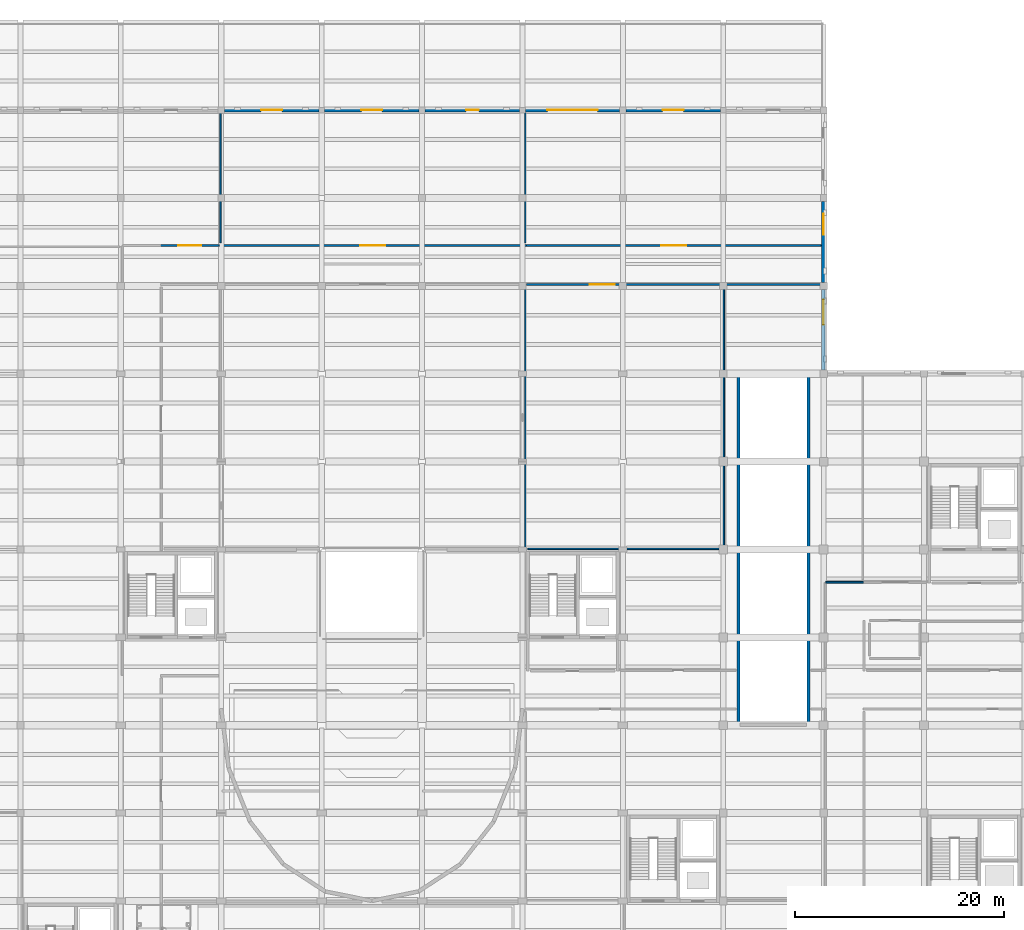
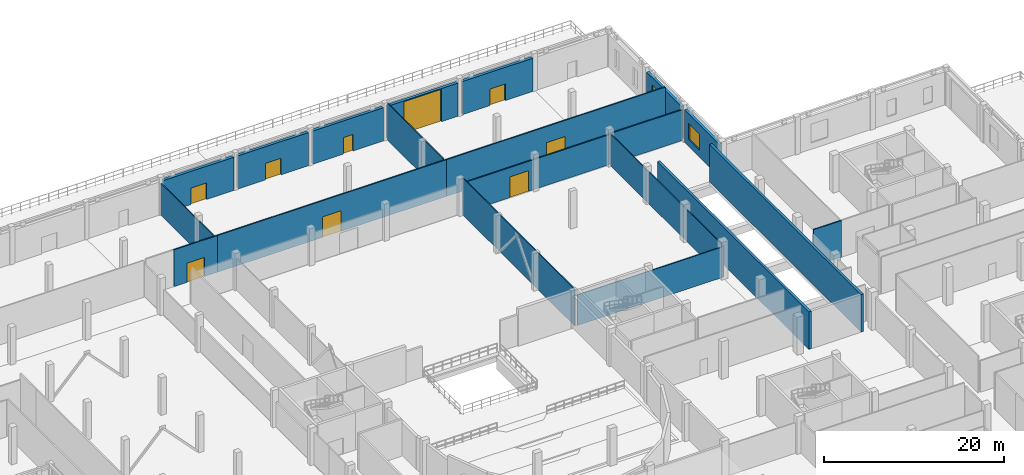
# One storey, part 56 of 71: 20 walls, 9 doors, 2 windows, 11 openings.
"""IFC4 building model written with IfcOpenShell, lengths in metres."""

from ifc_helpers import new_model, si_unit, direction, frame, frame_2d, origin, place, context, subcontext, project, spatial, rectangle, extrude, material, layer, layer_set, type_object, element, fill, save


model = new_model("IFC4")

# Units and contexts
model_context = context("Model", 3, precision=1e-05, world=origin(), true_north=direction((0.0, 1.0)))
body_context = subcontext(model_context, "Body", "Model", "MODEL_VIEW")
ifc_project = project(units=[si_unit("LENGTHUNIT", "METRE"), si_unit("AREAUNIT", "SQUARE_METRE"), si_unit("VOLUMEUNIT", "CUBIC_METRE"), si_unit("PLANEANGLEUNIT", "RADIAN"), si_unit("MASSUNIT", "GRAM", prefix="KILO")], contexts=[model_context])

# Site, building, storey
site_placement = place(None, origin())
site = spatial("IfcSite", under=ifc_project, at=site_placement, CompositionType="ELEMENT")
building_placement = place(site_placement, origin())
building = spatial("IfcBuilding", under=site, at=building_placement, Name="Lornevale Opera House", CompositionType="ELEMENT")
storey_placement = place(building_placement, origin())
storey = spatial("IfcBuildingStorey", under=building, at=storey_placement, Name="L01", CompositionType="ELEMENT", Elevation=0.0)

# Walls
ifc_material_1 = material(Name="Concrete 40 MPa (CSA A23.1 C-1)", Category="concrete")
ifc_layer_1 = layer(ifc_material_1, 0.320068359375)
ifc_layer_set_1 = layer_set([ifc_layer_1], Name="Concrete 40 MPa (CSA A23.1 C-1)")
wall_type_1 = type_object("IfcWallType", Name="Core Shear Wall 320", PredefinedType="SHEAR", material=ifc_layer_set_1)
for number, where, z_axis, x_axis, name in (
    (1, (116.64990234375, 50.300048828125, 0.0), (0.0, 0.0, 1.0), (0.0, 1.0, 0.0), "Vehicle Ramp Shaft Wall L01 0363"),
    (2, (123.35009765625, 50.300048828125, 0.0), (0.0, 0.0, 1.0), (0.0, 1.0, 0.0), "Vehicle Ramp Shaft Wall L01 0364"),
):
    element("IfcWall", number, at=place(storey_placement, frame(where, z_axis=z_axis, x_axis=x_axis)), inside=storey, type_object=wall_type_1, Name=name, PredefinedType="SHEAR", context=body_context, shape_type="SweptSolid", body=[
        extrude(rectangle(XDim=33.699951171875, YDim=0.320068359375, at=frame_2d((16.85009765625, 0.0))), origin(), (0.0, 0.0, 1.0), 5.10009765625),
    ])

# Wall, opening, door
ifc_material_2 = material(Name="Acoustic Mineral-Core Gypsum Partition", Category="gypsum")
ifc_layer_2 = layer(ifc_material_2, 0.1650390625)
ifc_layer_set_2 = layer_set([ifc_layer_2], Name="Acoustic Mineral-Core Gypsum Partition")
wall_type_2 = type_object("IfcWallType", Name="Corridor Rated Partition 165", PredefinedType="PARTITIONING", material=ifc_layer_set_2)
wall_1_placement = place(storey_placement, frame((96.39990234375, 92.5400390625, 0.0), z_axis=(0.0, 0.0, 1.0), x_axis=(1.0, 0.0, 0.0)))
wall_1 = element("IfcWall", 3, at=wall_1_placement, inside=storey, type_object=wall_type_2, Name="L01 Partition WL-INT-0669", PredefinedType="PARTITIONING", context=body_context, shape_type="SweptSolid", body=[
    extrude(rectangle(XDim=19.0, YDim=0.1650390625, at=frame_2d((9.5, 0.0))), origin(), (0.0, 0.0, 1.0), 4.070068359375),
])
opening_1_placement = place(wall_1_placement, frame((6.02001953125, 0.0, 0.0)))
opening_1 = element("IfcOpeningElement", 4, at=opening_1_placement, cuts=wall_1, Name="Opening DR-T16", PredefinedType="OPENING", context=body_context, shape_type="SweptSolid", body=[
    extrude(rectangle(XDim=2.39990234375, YDim=2.800048828125, at=frame_2d((1.199951171875, 1.39990234375))), frame((0.0, 0.092529296875, 0.0), z_axis=(0.0, -1.0, 0.0), x_axis=(1.0, 0.0, 0.0)), (0.0, 0.0, 1.0), 0.18505859375),
])
ifc_material_3 = material(Name="Painted Hollow Metal Door Steel", Category="steel")
ifc_layer_3 = layer(ifc_material_3, 2.800048828125)
ifc_layer_set_3 = layer_set([ifc_layer_3], Name="Painted Hollow Metal Door Steel")
door_type_1 = type_object("IfcDoorType", Name="Stage Scenery Double Door 2400x2800", OperationType="NOTDEFINED", PredefinedType="DOOR", material=ifc_layer_set_3)
door_1_placement = place(opening_1_placement, origin())
door_1 = element("IfcDoor", 5, at=door_1_placement, inside=storey, type_object=door_type_1, Name="Right Side Stage Door", OperationType="DOUBLE_SWING_LEFT", OverallHeight=2.800048828125, OverallWidth=2.39990234375, PredefinedType="DOOR", context=body_context, shape_type="SweptSolid", body=[
    extrude(rectangle(XDim=2.39990234375, YDim=2.800048828125, at=frame_2d((1.199951171875, 1.39990234375))), frame((0.0, 0.02490234375, 0.0), z_axis=(0.0, -1.0, 0.0), x_axis=(1.0, 0.0, 0.0)), (0.0, 0.0, 1.0), 0.050048828125),
])
fill(opening_1, door_1)

wall_2_placement = place(storey_placement, frame((67.0, 96.260009765625, 0.0), z_axis=(0.0, 0.0, 1.0), x_axis=(1.0, 0.0, 0.0)))
wall_2 = element("IfcWall", 6, at=wall_2_placement, inside=storey, type_object=wall_type_2, Name="L01 Partition WL-INT-0670", PredefinedType="PARTITIONING", context=body_context, shape_type="SweptSolid", body=[
    extrude(rectangle(XDim=29.39990234375, YDim=0.1650390625, at=frame_2d((14.699951171875, 0.0))), origin(), (0.0, 0.0, 1.0), 4.989990234375),
])
opening_2_placement = place(wall_2_placement, frame((13.5, 0.0, 0.0)))
opening_2 = element("IfcOpeningElement", 7, at=opening_2_placement, cuts=wall_2, Name="Opening DR-T16", PredefinedType="OPENING", context=body_context, shape_type="SweptSolid", body=[
    extrude(rectangle(XDim=2.39990234375, YDim=2.800048828125, at=frame_2d((1.199951171875, 1.39990234375))), frame((0.0, 0.092529296875, 0.0), z_axis=(0.0, -1.0, 0.0), x_axis=(1.0, 0.0, 0.0)), (0.0, 0.0, 1.0), 0.18505859375),
])
door_2_placement = place(opening_2_placement, origin())
door_2 = element("IfcDoor", 8, at=door_2_placement, inside=storey, type_object=door_type_1, Name="Rear Stage Door", OperationType="DOUBLE_SWING_LEFT", OverallHeight=2.800048828125, OverallWidth=2.39990234375, PredefinedType="DOOR", context=body_context, shape_type="SweptSolid", body=[
    extrude(rectangle(XDim=2.39990234375, YDim=2.800048828125, at=frame_2d((1.199951171875, 1.39990234375))), frame((0.0, 0.02490234375, 0.0), z_axis=(0.0, -1.0, 0.0), x_axis=(1.0, 0.0, 0.0)), (0.0, 0.0, 1.0), 0.050048828125),
])
fill(opening_2, door_2)

wall_3_placement = place(storey_placement, frame((61.39990234375, 96.260009765625, 0.0), z_axis=(0.0, 0.0, 1.0), x_axis=(1.0, 0.0, 0.0)))
wall_3 = element("IfcWall", 9, at=wall_3_placement, inside=storey, type_object=wall_type_2, Name="L01 Partition WL-INT-0675", PredefinedType="PARTITIONING", context=body_context, shape_type="SweptSolid", body=[
    extrude(rectangle(XDim=5.60009765625, YDim=0.1650390625, at=frame_2d((2.800048828125, 0.0))), origin(), (0.0, 0.0, 1.0), 4.989990234375),
])
opening_3_placement = place(wall_3_placement, frame((1.699951171875, 0.0, 0.0)))
opening_3 = element("IfcOpeningElement", 10, at=opening_3_placement, cuts=wall_3, Name="Opening DR-T17", PredefinedType="OPENING", context=body_context, shape_type="SweptSolid", body=[
    extrude(rectangle(XDim=2.199951171875, YDim=2.60009765625, at=frame_2d((1.10009765625, 1.300048828125))), frame((0.0, 0.092529296875, 0.0), z_axis=(0.0, -1.0, 0.0), x_axis=(1.0, 0.0, 0.0)), (0.0, 0.0, 1.0), 0.18505859375),
])
ifc_layer_4 = layer(ifc_material_3, 2.60009765625)
ifc_layer_set_4 = layer_set([ifc_layer_4], Name="Painted Hollow Metal Door Steel")
door_type_2 = type_object("IfcDoorType", Name="Workshop Acoustic Pair 2200x2600", OperationType="NOTDEFINED", PredefinedType="DOOR", material=ifc_layer_set_4)
door_3_placement = place(opening_3_placement, origin())
door_3 = element("IfcDoor", 11, at=door_3_placement, inside=storey, type_object=door_type_2, Name="Scenery Carpentry Workshop Door", OperationType="DOUBLE_SWING_LEFT", OverallHeight=2.60009765625, OverallWidth=2.199951171875, PredefinedType="DOOR", context=body_context, shape_type="SweptSolid", body=[
    extrude(rectangle(XDim=2.199951171875, YDim=2.60009765625, at=frame_2d((1.10009765625, 1.300048828125))), frame((0.0, 0.02490234375, 0.0), z_axis=(0.0, -1.0, 0.0), x_axis=(1.0, 0.0, 0.0)), (0.0, 0.0, 1.0), 0.050048828125),
])
fill(opening_3, door_3)

wall_4_placement = place(storey_placement, frame((96.39990234375, 96.260009765625, 0.0), z_axis=(0.0, 0.0, 1.0), x_axis=(1.0, 0.0, 0.0)))
wall_4 = element("IfcWall", 12, at=wall_4_placement, inside=storey, type_object=wall_type_2, Name="L01 Partition WL-INT-0676", PredefinedType="PARTITIONING", context=body_context, shape_type="SweptSolid", body=[
    extrude(rectangle(XDim=28.150146484375, YDim=0.1650390625, at=frame_2d((14.0751953125, 0.0))), origin(), (0.0, 0.0, 1.0), 4.989990234375),
])
opening_4_placement = place(wall_4_placement, frame((12.875, 0.0, 0.0)))
opening_4 = element("IfcOpeningElement", 13, at=opening_4_placement, cuts=wall_4, Name="Opening DR-T16", PredefinedType="OPENING", context=body_context, shape_type="SweptSolid", body=[
    extrude(rectangle(XDim=2.39990234375, YDim=2.800048828125, at=frame_2d((1.199951171875, 1.39990234375))), frame((0.0, 0.092529296875, 0.0), z_axis=(0.0, -1.0, 0.0), x_axis=(1.0, 0.0, 0.0)), (0.0, 0.0, 1.0), 0.18505859375),
])
door_4_placement = place(opening_4_placement, origin())
door_4 = element("IfcDoor", 14, at=door_4_placement, inside=storey, type_object=door_type_1, Name="Enclosed Stage Loading Dock Door", OperationType="DOUBLE_SWING_LEFT", OverallHeight=2.800048828125, OverallWidth=2.39990234375, PredefinedType="DOOR", context=body_context, shape_type="SweptSolid", body=[
    extrude(rectangle(XDim=2.39990234375, YDim=2.800048828125, at=frame_2d((1.199951171875, 1.39990234375))), frame((0.0, 0.02490234375, 0.0), z_axis=(0.0, -1.0, 0.0), x_axis=(1.0, 0.0, 0.0)), (0.0, 0.0, 1.0), 0.050048828125),
])
fill(opening_4, door_4)

# Walls
wall_5_placement = place(storey_placement, frame((115.39990234375, 92.5400390625, 0.0), z_axis=(0.0, 0.0, 1.0), x_axis=(1.0, 0.0, 0.0)))
element("IfcWall", 15, at=wall_5_placement, inside=storey, type_object=wall_type_2, Name="L01 Partition WL-INT-0704", PredefinedType="PARTITIONING", context=body_context, shape_type="SweptSolid", body=[
    extrude(rectangle(XDim=9.18017578125, YDim=0.1650390625, at=frame_2d((4.590087890625, 0.0))), origin(), (0.0, 0.0, 1.0), 4.169921875),
])
wall_6_placement = place(storey_placement, frame((125.0, 64.06005859375, 0.0), z_axis=(0.0, 0.0, 1.0), x_axis=(1.0, 0.0, 0.0)))
element("IfcWall", 16, at=wall_6_placement, inside=storey, type_object=wall_type_2, Name="L01 Partition WL-INT-0707", PredefinedType="PARTITIONING", context=body_context, shape_type="SweptSolid", body=[
    extrude(rectangle(XDim=3.60009765625, YDim=0.1650390625, at=frame_2d((1.800048828125, 0.0))), origin(), (0.0, 0.0, 1.0), 4.989990234375),
])
ifc_layer_5 = layer(ifc_material_2, 0.125)
ifc_layer_set_5 = layer_set([ifc_layer_5], Name="Acoustic Mineral-Core Gypsum Partition")
wall_type_3 = type_object("IfcWallType", Name="Dressing Suite Partition 125", PredefinedType="PARTITIONING", material=ifc_layer_set_5)
wall_7_placement = place(storey_placement, frame((96.260009765625, 67.260009765625, 0.0), z_axis=(0.0, 0.0, 1.0), x_axis=(0.0, 1.0, 0.0)))
element("IfcWall", 17, at=wall_7_placement, inside=storey, type_object=wall_type_3, Name="L01 Partition WL-INT-0731", PredefinedType="PARTITIONING", context=body_context, shape_type="SweptSolid", body=[
    extrude(rectangle(XDim=25.030029296875, YDim=0.125, at=frame_2d((12.51513671875, 0.0))), origin(), (0.0, 0.0, 1.0), 4.989990234375),
])
wall_8_placement = place(storey_placement, frame((96.510009765625, 67.260009765625, 0.0), z_axis=(0.0, 0.0, 1.0), x_axis=(1.0, 0.0, 0.0)))
element("IfcWall", 18, at=wall_8_placement, inside=storey, type_object=wall_type_3, Name="L01 Partition WL-INT-0732", PredefinedType="PARTITIONING", context=body_context, shape_type="SweptSolid", body=[
    extrude(rectangle(XDim=18.68994140625, YDim=0.125, at=frame_2d((9.344970703125, 0.0))), origin(), (0.0, 0.0, 1.0), 4.14990234375),
])
wall_9_placement = place(storey_placement, frame((115.260009765625, 67.199951171875, 0.0), z_axis=(0.0, 0.0, 1.0), x_axis=(0.0, 1.0, 0.0)))
element("IfcWall", 19, at=wall_9_placement, inside=storey, type_object=wall_type_3, Name="L01 Partition WL-INT-0733", PredefinedType="PARTITIONING", context=body_context, shape_type="SweptSolid", body=[
    extrude(rectangle(XDim=25.090087890625, YDim=0.125, at=frame_2d((12.544921875, 0.0))), origin(), (0.0, 0.0, 1.0), 4.320068359375),
])
wall_10_placement = place(storey_placement, frame((67.139892578125, 96.510009765625, 0.0), z_axis=(0.0, 0.0, 1.0), x_axis=(0.0, 1.0, 0.0)))
element("IfcWall", 20, at=wall_10_placement, inside=storey, type_object=wall_type_3, Name="L01 Partition WL-INT-0734", PredefinedType="PARTITIONING", context=body_context, shape_type="SweptSolid", body=[
    extrude(rectangle(XDim=12.469970703125, YDim=0.125, at=frame_2d((6.23486328125, 0.0))), origin(), (0.0, 0.0, 1.0), 4.320068359375),
])
wall_11_placement = place(storey_placement, frame((96.260009765625, 96.510009765625, 0.0), z_axis=(0.0, 0.0, 1.0), x_axis=(0.0, 1.0, 0.0)))
element("IfcWall", 21, at=wall_11_placement, inside=storey, type_object=wall_type_3, Name="L01 Partition WL-INT-0735", PredefinedType="PARTITIONING", context=body_context, shape_type="SweptSolid", body=[
    extrude(rectangle(XDim=12.469970703125, YDim=0.125, at=frame_2d((6.23486328125, 0.0))), origin(), (0.0, 0.0, 1.0), 4.989990234375),
])

# Wall, opening, door
ifc_material_4 = material(Name="Credit Valley Sandstone Ashlar Masonry (25 MPa)", Category="masonry")
ifc_layer_6 = layer(ifc_material_4, 0.3798828125)
ifc_layer_set_6 = layer_set([ifc_layer_6], Name="Credit Valley Sandstone Ashlar Masonry (25 MPa)")
wall_type_4 = type_object("IfcWallType", Name="Sandstone Plinth Bearing Wall 380", PredefinedType="SOLIDWALL", material=ifc_layer_set_6)
wall_12_placement = place(storey_placement, frame((67.5, 109.199951171875, 0.0), z_axis=(0.0, 0.0, 1.0), x_axis=(1.0, 0.0, 0.0)))
wall_12 = element("IfcWall", 22, at=wall_12_placement, inside=storey, type_object=wall_type_4, Name="Sandstone Plinth Bearing Wall 380 WL-EXT-0164", PredefinedType="SOLIDWALL", context=body_context, shape_type="SweptSolid", body=[
    extrude(rectangle(XDim=9.02490234375, YDim=0.3798828125, at=frame_2d((4.512451171875, 0.0))), origin(), (0.0, 0.0, 1.0), 4.510009765625),
])
opening_5_placement = place(wall_12_placement, frame((3.512939453125, 0.0, 0.0)))
opening_5 = element("IfcOpeningElement", 23, at=opening_5_placement, cuts=wall_12, Name="Opening DR-T06", PredefinedType="OPENING", context=body_context, shape_type="SweptSolid", body=[
    extrude(rectangle(XDim=2.0, YDim=2.25, at=frame_2d((1.0, 1.125))), frame((0.0, 0.199951171875, 0.0), z_axis=(0.0, -1.0, 0.0), x_axis=(1.0, 0.0, 0.0)), (0.0, 0.0, 1.0), 0.39990234375),
])
ifc_layer_7 = layer(ifc_material_3, 0.050048828125)
ifc_layer_set_7 = layer_set([ifc_layer_7], Name="Painted Hollow Metal Door Steel")
door_type_3 = type_object("IfcDoorType", Name="Exterior Paired Exit Door 2000x2250", OperationType="NOTDEFINED", PredefinedType="DOOR", material=ifc_layer_set_7)
door_5_placement = place(opening_5_placement, origin())
door_5 = element("IfcDoor", 24, at=door_5_placement, inside=storey, type_object=door_type_3, Name="Exterior Paired Exit Door 2000x2250 DR-EXT-019", OperationType="DOUBLE_DOOR_SINGLE_SWING", OverallHeight=2.25, OverallWidth=2.0, PredefinedType="DOOR", context=body_context, shape_type="SweptSolid", body=[
    extrude(rectangle(XDim=2.0, YDim=2.25, at=frame_2d((1.0, 1.125))), frame((0.0, 0.02490234375, 0.0), z_axis=(0.0, -1.0, 0.0), x_axis=(1.0, 0.0, 0.0)), (0.0, 0.0, 1.0), 0.050048828125),
])
fill(opening_5, door_5)

wall_13_placement = place(storey_placement, frame((77.074951171875, 109.199951171875, 0.0), z_axis=(0.0, 0.0, 1.0), x_axis=(1.0, 0.0, 0.0)))
wall_13 = element("IfcWall", 25, at=wall_13_placement, inside=storey, type_object=wall_type_4, Name="Sandstone Plinth Bearing Wall 380 WL-EXT-0166", PredefinedType="SOLIDWALL", context=body_context, shape_type="SweptSolid", body=[
    extrude(rectangle(XDim=9.025146484375, YDim=0.3798828125, at=frame_2d((4.5126953125, 0.0))), origin(), (0.0, 0.0, 1.0), 4.510009765625),
])
opening_6_placement = place(wall_13_placement, frame((3.512939453125, 0.0, 0.0)))
opening_6 = element("IfcOpeningElement", 26, at=opening_6_placement, cuts=wall_13, Name="Opening DR-T06", PredefinedType="OPENING", context=body_context, shape_type="SweptSolid", body=[
    extrude(rectangle(XDim=2.0, YDim=2.25, at=frame_2d((1.0, 1.125))), frame((0.0, 0.199951171875, 0.0), z_axis=(0.0, -1.0, 0.0), x_axis=(1.0, 0.0, 0.0)), (0.0, 0.0, 1.0), 0.39990234375),
])
door_6_placement = place(opening_6_placement, origin())
door_6 = element("IfcDoor", 27, at=door_6_placement, inside=storey, type_object=door_type_3, Name="Exterior Paired Exit Door 2000x2250 DR-EXT-021", OperationType="DOUBLE_DOOR_SINGLE_SWING", OverallHeight=2.25, OverallWidth=2.0, PredefinedType="DOOR", context=body_context, shape_type="SweptSolid", body=[
    extrude(rectangle(XDim=2.0, YDim=2.25, at=frame_2d((1.0, 1.125))), frame((0.0, 0.02490234375, 0.0), z_axis=(0.0, -1.0, 0.0), x_axis=(1.0, 0.0, 0.0)), (0.0, 0.0, 1.0), 0.050048828125),
])
fill(opening_6, door_6)

wall_14_placement = place(storey_placement, frame((86.699951171875, 109.199951171875, 0.0), z_axis=(0.0, 0.0, 1.0), x_axis=(1.0, 0.0, 0.0)))
wall_14 = element("IfcWall", 28, at=wall_14_placement, inside=storey, type_object=wall_type_4, Name="Sandstone Plinth Bearing Wall 380 WL-EXT-0167", PredefinedType="SOLIDWALL", context=body_context, shape_type="SweptSolid", body=[
    extrude(rectangle(XDim=9.025146484375, YDim=0.3798828125, at=frame_2d((4.5126953125, 0.0))), origin(), (0.0, 0.0, 1.0), 4.510009765625),
])
opening_7_placement = place(wall_14_placement, frame((3.903076171875, 0.0, 0.0)))
opening_7 = element("IfcOpeningElement", 29, at=opening_7_placement, cuts=wall_14, Name="Opening DR-T05", PredefinedType="OPENING", context=body_context, shape_type="SweptSolid", body=[
    extrude(rectangle(XDim=1.219970703125, YDim=2.25, at=frame_2d((0.60986328125, 1.125))), frame((0.0, 0.199951171875, 0.0), z_axis=(0.0, -1.0, 0.0), x_axis=(1.0, 0.0, 0.0)), (0.0, 0.0, 1.0), 0.39990234375),
])
ifc_layer_8 = layer(ifc_material_3, 0.050048828125)
ifc_layer_set_8 = layer_set([ifc_layer_8], Name="Painted Hollow Metal Door Steel")
door_type_4 = type_object("IfcDoorType", Name="Exterior Final Exit Door 1220x2250", OperationType="NOTDEFINED", PredefinedType="DOOR", material=ifc_layer_set_8)
door_7_placement = place(opening_7_placement, origin())
door_7 = element("IfcDoor", 30, at=door_7_placement, inside=storey, type_object=door_type_4, Name="Exterior Final Exit Door 1220x2250 DR-EXT-022", OperationType="SINGLE_SWING_LEFT", OverallHeight=2.25, OverallWidth=1.219970703125, PredefinedType="DOOR", context=body_context, shape_type="SweptSolid", body=[
    extrude(rectangle(XDim=1.219970703125, YDim=2.25, at=frame_2d((0.60986328125, 1.125))), frame((0.0, 0.02490234375, 0.0), z_axis=(0.0, -1.0, 0.0), x_axis=(1.0, 0.0, 0.0)), (0.0, 0.0, 1.0), 0.050048828125),
])
fill(opening_7, door_7)

wall_15_placement = place(storey_placement, frame((96.27490234375, 109.199951171875, 0.0), z_axis=(0.0, 0.0, 1.0), x_axis=(1.0, 0.0, 0.0)))
wall_15 = element("IfcWall", 31, at=wall_15_placement, inside=storey, type_object=wall_type_4, Name="Sandstone Plinth Bearing Wall 380 WL-EXT-0169", PredefinedType="SOLIDWALL", context=body_context, shape_type="SweptSolid", body=[
    extrude(rectangle(XDim=9.025146484375, YDim=0.3798828125, at=frame_2d((4.5126953125, 0.0))), origin(), (0.0, 0.0, 1.0), 4.510009765625),
])
opening_8_placement = place(wall_15_placement, frame((2.113037109375, 0.0, 0.0)))
opening_8 = element("IfcOpeningElement", 32, at=opening_8_placement, cuts=wall_15, Name="Opening DR-T07", PredefinedType="OPENING", context=body_context, shape_type="SweptSolid", body=[
    extrude(rectangle(XDim=4.800048828125, YDim=4.39990234375, at=frame_2d((2.39990234375, 2.199951171875))), frame((0.0, 0.199951171875, 0.0), z_axis=(0.0, -1.0, 0.0), x_axis=(1.0, 0.0, 0.0)), (0.0, 0.0, 1.0), 0.39990234375),
])
ifc_layer_9 = layer(ifc_material_3, 0.050048828125)
ifc_layer_set_9 = layer_set([ifc_layer_9], Name="Painted Hollow Metal Door Steel")
door_type_5 = type_object("IfcDoorType", Name="Loading Dock Scenery Roller Door 4800x4400", OperationType="NOTDEFINED", PredefinedType="GATE", material=ifc_layer_set_9)
door_8_placement = place(opening_8_placement, origin())
door_8 = element("IfcDoor", 33, at=door_8_placement, inside=storey, type_object=door_type_5, Name="Loading Dock Scenery Roller Door VG-02", OperationType="ROLLINGUP", OverallHeight=4.39990234375, OverallWidth=4.800048828125, PredefinedType="GATE", context=body_context, shape_type="SweptSolid", body=[
    extrude(rectangle(XDim=4.800048828125, YDim=4.39990234375, at=frame_2d((2.39990234375, 2.199951171875))), frame((0.0, 0.02490234375, 0.0), z_axis=(0.0, -1.0, 0.0), x_axis=(1.0, 0.0, 0.0)), (0.0, 0.0, 1.0), 0.050048828125),
])
fill(opening_8, door_8)

wall_16_placement = place(storey_placement, frame((105.89990234375, 109.199951171875, 0.0), z_axis=(0.0, 0.0, 1.0), x_axis=(1.0, 0.0, 0.0)))
wall_16 = element("IfcWall", 34, at=wall_16_placement, inside=storey, type_object=wall_type_4, Name="Sandstone Plinth Bearing Wall 380 WL-EXT-0170", PredefinedType="SOLIDWALL", context=body_context, shape_type="SweptSolid", body=[
    extrude(rectangle(XDim=9.025146484375, YDim=0.3798828125, at=frame_2d((4.5126953125, 0.0))), origin(), (0.0, 0.0, 1.0), 4.510009765625),
])
opening_9_placement = place(wall_16_placement, frame((3.512939453125, 0.0, 0.0)))
opening_9 = element("IfcOpeningElement", 35, at=opening_9_placement, cuts=wall_16, Name="Opening DR-T06", PredefinedType="OPENING", context=body_context, shape_type="SweptSolid", body=[
    extrude(rectangle(XDim=2.0, YDim=2.25, at=frame_2d((1.0, 1.125))), frame((0.0, 0.199951171875, 0.0), z_axis=(0.0, -1.0, 0.0), x_axis=(1.0, 0.0, 0.0)), (0.0, 0.0, 1.0), 0.39990234375),
])
door_9_placement = place(opening_9_placement, origin())
door_9 = element("IfcDoor", 36, at=door_9_placement, inside=storey, type_object=door_type_3, Name="Exterior Paired Exit Door 2000x2250 DR-EXT-025", OperationType="DOUBLE_DOOR_SINGLE_SWING", OverallHeight=2.25, OverallWidth=2.0, PredefinedType="DOOR", context=body_context, shape_type="SweptSolid", body=[
    extrude(rectangle(XDim=2.0, YDim=2.25, at=frame_2d((1.0, 1.125))), frame((0.0, 0.02490234375, 0.0), z_axis=(0.0, -1.0, 0.0), x_axis=(1.0, 0.0, 0.0)), (0.0, 0.0, 1.0), 0.050048828125),
])
fill(opening_9, door_9)

# Wall, opening, window
wall_17_placement = place(storey_placement, frame((124.800048828125, 92.050048828125, 0.0), z_axis=(0.0, 0.0, 1.0), x_axis=(0.0, -1.0, 0.0)))
wall_17 = element("IfcWall", 37, at=wall_17_placement, inside=storey, type_object=wall_type_4, Name="Sandstone Plinth Bearing Wall 380 WL-EXT-0172", PredefinedType="SOLIDWALL", context=body_context, shape_type="SweptSolid", body=[
    extrude(rectangle(XDim=7.699951171875, YDim=0.3798828125, at=frame_2d((3.85009765625, 0.0))), origin(), (0.0, 0.0, 1.0), 4.419921875),
])
opening_10_placement = place(wall_17_placement, frame((0.9560546875, 0.0, 0.949951171875)))
opening_10 = element("IfcOpeningElement", 38, at=opening_10_placement, cuts=wall_17, Name="Opening WN-T08", PredefinedType="OPENING", context=body_context, shape_type="SweptSolid", body=[
    extrude(rectangle(XDim=2.39990234375, YDim=2.199951171875, at=frame_2d((1.199951171875, 1.10009765625))), frame((0.0, 0.199951171875, 0.0), z_axis=(0.0, -1.0, 0.0), x_axis=(1.0, 0.0, 0.0)), (0.0, 0.0, 1.0), 0.39990234375),
])
ifc_material_5 = material(Name="Triple Low-E Insulated Glazing", Category="glass")
ifc_layer_10 = layer(ifc_material_5, 0.06005859375)
ifc_layer_set_10 = layer_set([ifc_layer_10], Name="Triple Low-E Insulated Glazing")
window_type_1 = type_object("IfcWindowType", Name="Conservatory Window 2400x2200", PartitioningType="NOTDEFINED", PredefinedType="WINDOW", material=ifc_layer_set_10)
window_1_placement = place(opening_10_placement, origin())
window_1 = element("IfcWindow", 39, at=window_1_placement, inside=storey, type_object=window_type_1, Name="Conservatory Window 2400x2200 WN-0023", OverallHeight=2.199951171875, OverallWidth=2.39990234375, PartitioningType="SINGLE_PANEL", PredefinedType="WINDOW", context=body_context, shape_type="SweptSolid", body=[
    extrude(rectangle(XDim=2.39990234375, YDim=2.199951171875, at=frame_2d((1.199951171875, 1.10009765625))), frame((0.0, 0.030029296875, 0.0), z_axis=(0.0, -1.0, 0.0), x_axis=(1.0, 0.0, 0.0)), (0.0, 0.0, 1.0), 0.06005859375),
])
fill(opening_10, window_1)

wall_18_placement = place(storey_placement, frame((124.800048828125, 100.47509765625, 0.0), z_axis=(0.0, 0.0, 1.0), x_axis=(0.0, -1.0, 0.0)))
wall_18 = element("IfcWall", 40, at=wall_18_placement, inside=storey, type_object=wall_type_4, Name="Sandstone Plinth Bearing Wall 380 WL-EXT-0173", PredefinedType="SOLIDWALL", context=body_context, shape_type="SweptSolid", body=[
    extrude(rectangle(XDim=7.72509765625, YDim=0.3798828125, at=frame_2d((3.862548828125, 0.0))), origin(), (0.0, 0.0, 1.0), 4.419921875),
])
opening_11_placement = place(wall_18_placement, frame((1.1630859375, 0.0, 1.89990234375)))
opening_11 = element("IfcOpeningElement", 41, at=opening_11_placement, cuts=wall_18, Name="Opening WN-T11", PredefinedType="OPENING", context=body_context, shape_type="SweptSolid", body=[
    extrude(rectangle(XDim=2.0, YDim=1.5, at=frame_2d((1.0, 0.75))), frame((0.0, 0.199951171875, 0.0), z_axis=(0.0, -1.0, 0.0), x_axis=(1.0, 0.0, 0.0)), (0.0, 0.0, 1.0), 0.39990234375),
])
ifc_layer_11 = layer(ifc_material_5, 0.06005859375)
ifc_layer_set_11 = layer_set([ifc_layer_11], Name="Triple Low-E Insulated Glazing")
window_type_2 = type_object("IfcWindowType", Name="Workshop Operable Window 2000x1500", PartitioningType="NOTDEFINED", PredefinedType="WINDOW", material=ifc_layer_set_11)
window_2_placement = place(opening_11_placement, origin())
window_2 = element("IfcWindow", 42, at=window_2_placement, inside=storey, type_object=window_type_2, Name="Workshop Operable Window 2000x1500 WN-0024", OverallHeight=1.5, OverallWidth=2.0, PartitioningType="SINGLE_PANEL", PredefinedType="WINDOW", context=body_context, shape_type="SweptSolid", body=[
    extrude(rectangle(XDim=2.0, YDim=1.5, at=frame_2d((1.0, 0.75))), frame((0.0, 0.030029296875, 0.0), z_axis=(0.0, -1.0, 0.0), x_axis=(1.0, 0.0, 0.0)), (0.0, 0.0, 1.0), 0.06005859375),
])
fill(opening_11, window_2)

save(model, "model.ifc")
